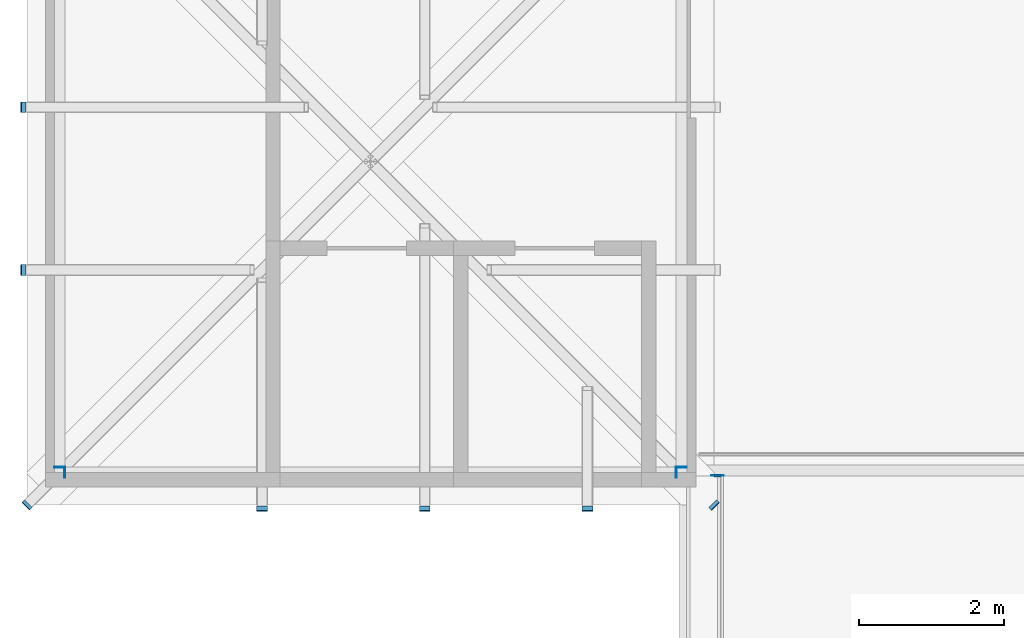
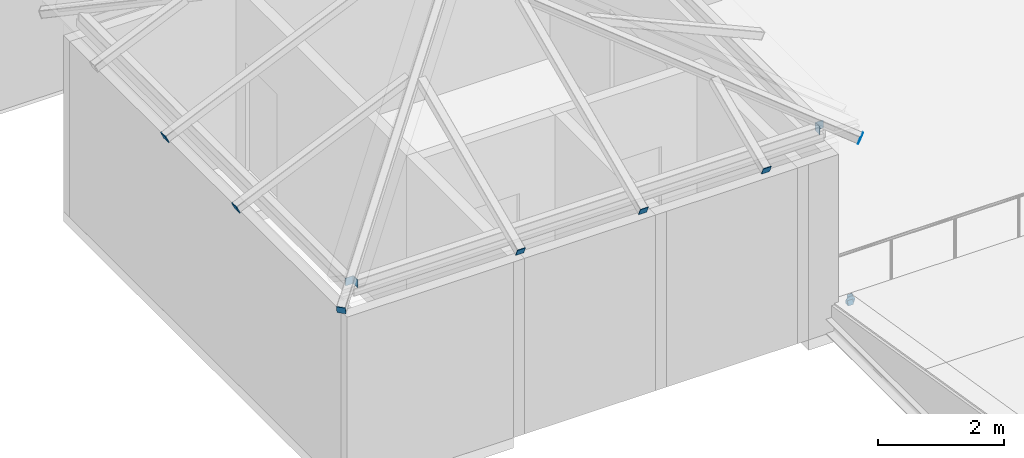
# One storey, part 53 of 69: 13 discrete accessories.
"""IFC4 building model written with IfcOpenShell, lengths in metres."""

from ifc_helpers import new_model, si_unit, direction, frame, origin, origin_2d, place, context, subcontext, project, spatial, rectangle, circle, extrude, material, material_profile, profile_set, type_object, element, save


model = new_model("IFC4")

# Units and contexts
model_context = context("Model", 3, precision=1e-05, world=origin(), true_north=direction((0.0, 1.0)))
body_context = subcontext(model_context, "Body", "Model", "MODEL_VIEW")
ifc_project = project(units=[si_unit("LENGTHUNIT", "METRE"), si_unit("AREAUNIT", "SQUARE_METRE"), si_unit("VOLUMEUNIT", "CUBIC_METRE"), si_unit("PLANEANGLEUNIT", "RADIAN"), si_unit("MASSUNIT", "GRAM", prefix="KILO")], contexts=[model_context])

# Site, building, storey
site_placement = place(None, origin())
site = spatial("IfcSite", under=ifc_project, at=site_placement, CompositionType="ELEMENT")
building_placement = place(site_placement, origin())
building = spatial("IfcBuilding", under=site, at=building_placement, Name="Kallimachos Central Library", CompositionType="ELEMENT")
storey_placement = place(building_placement, frame((0.0, 0.0, 23.39990234375)))
storey = spatial("IfcBuildingStorey", under=building, at=storey_placement, Name="L05", CompositionType="ELEMENT", Elevation=23.39990234375)

# Discrete accessories
ifc_material_1 = material(Name="Steel S355J2", Category="steel")
ifc_material_profile_1 = material_profile(ifc_material_1, rectangle(XDim=0.10009765625, YDim=0.199951171875, at=origin_2d()), Name="End cap plate 10, 100x200")
ifc_profile_set_1 = profile_set([ifc_material_profile_1], Name="Steel S355J2")
discrete_accessory_type_1 = type_object("IfcDiscreteAccessoryType", Name="End cap plate 10, 100x200", PredefinedType="BRACKET", material=ifc_profile_set_1)
discrete_accessory_1_placement = place(storey_placement, frame((74.800048828125, 75.159912109375, 0.389892578125), z_axis=(0.0, -0.989461064134, 0.144799180117), x_axis=(1.0, 0.0, 0.0)))
element("IfcDiscreteAccessory", 1, at=discrete_accessory_1_placement, inside=storey, type_object=discrete_accessory_type_1, Name="End cap plate", PredefinedType="BRACKET", context=body_context, shape_type="SweptSolid", body=[
    extrude(rectangle(XDim=0.10009765625, YDim=0.199951171875, at=origin_2d()), origin(), (0.0, 0.0, 1.0), 0.010009765625),
])
ifc_material_2 = material(Name="Steel S355J2", Category="steel")
ifc_material_profile_2 = material_profile(ifc_material_2, rectangle(XDim=0.14990234375, YDim=0.14990234375, at=origin_2d()), Name="End cap plate 10, 150x150")
ifc_profile_set_2 = profile_set([ifc_material_profile_2], Name="Steel S355J2")
discrete_accessory_type_2 = type_object("IfcDiscreteAccessoryType", Name="End cap plate 10, 150x150", PredefinedType="BRACKET", material=ifc_profile_set_2)
for number, where, z_axis, x_axis, name in (
    (2, (65.764892578125, 75.199951171875, 3.875), (1.0, 0.0, 0.0), (0.0, 1.0, 0.0), "End cap plate"),
    (3, (74.22509765625, 75.199951171875, 3.875), (1.0, 0.0, 0.0), (0.0, 1.0, 0.0), "End cap plate"),
    (4, (65.699951171875, 75.264892578125, 3.875), (0.0, 1.0, 0.0), (-1.0, 0.0, 0.0), "End cap plate"),
    (5, (74.300048828125, 75.264892578125, 3.875), (0.0, 1.0, 0.0), (-1.0, 0.0, 0.0), "End cap plate"),
    (6, (68.5, 74.69091796875, 3.805419921875), (0.0, 0.908676843963, 0.417500171551), (-1.0, 0.0, 0.0), "End cap plate"),
    (7, (70.75, 74.69091796875, 3.805419921875), (0.0, 0.908676843963, 0.417500171551), (-1.0, 0.0, 0.0), "End cap plate"),
    (8, (73.0, 74.69091796875, 3.805419921875), (0.0, 0.908676843963, 0.417500171551), (-1.0, 0.0, 0.0), "End cap plate"),
    (9, (65.19091796875, 78.0, 3.805419921875), (0.908676843963, 0.0, 0.417500171551), (0.0, 1.0, 0.0), "End cap plate"),
    (10, (65.19091796875, 80.25, 3.805419921875), (0.908676843963, 0.0, 0.417500171551), (0.0, 1.0, 0.0), "End cap plate"),
):
    element("IfcDiscreteAccessory", number, at=place(storey_placement, frame(where, z_axis=z_axis, x_axis=x_axis)), inside=storey, type_object=discrete_accessory_type_2, Name=name, PredefinedType="BRACKET", context=body_context, shape_type="SweptSolid", body=[
        extrude(rectangle(XDim=0.14990234375, YDim=0.14990234375, at=origin_2d()), origin(), (0.0, 0.0, 1.0), 0.010009765625),
    ])
for number, where, z_axis, x_axis, name in (
    (11, (65.2431640625, 74.7431640625, 3.778564453125), (0.671828034032, 0.671828034032, 0.311920158658), (-0.707106781187, 0.707106781187, 0.0), "End cap plate"),
    (12, (74.7568359375, 74.7431640625, 3.778564453125), (-0.671828034032, 0.671828034032, 0.311920158658), (-0.707106781187, -0.707106781187, 0.0), "End cap plate"),
):
    element("IfcDiscreteAccessory", number, at=place(storey_placement, frame(where, z_axis=z_axis, x_axis=x_axis)), inside=storey, type_object=discrete_accessory_type_2, Name=name, PredefinedType="BRACKET", context=body_context, shape_type="SweptSolid", body=[
        extrude(rectangle(XDim=0.14990234375, YDim=0.14990234375, at=origin_2d()), origin(), (0.0, 0.0, 1.0), 0.01025390625),
    ])
ifc_material_3 = material(Name="Steel S355J2", Category="steel")
ifc_material_profile_3 = material_profile(ifc_material_3, circle(Radius=0.084228515625, at=origin_2d()), Name="End cap plate 10, round 168.3")
ifc_profile_set_3 = profile_set([ifc_material_profile_3], Name="Steel S355J2")
discrete_accessory_type_3 = type_object("IfcDiscreteAccessoryType", Name="End cap plate 10, round 168.3", PredefinedType="BRACKET", material=ifc_profile_set_3)
discrete_accessory_2_placement = place(storey_placement, frame((74.800048828125, 75.14990234375, 0.374267578125), z_axis=(0.0, 1.0, 0.0), x_axis=(-1.0, 0.0, 0.0)))
element("IfcDiscreteAccessory", 13, at=discrete_accessory_2_placement, inside=storey, type_object=discrete_accessory_type_3, Name="End cap plate", PredefinedType="BRACKET", context=body_context, shape_type="SweptSolid", body=[
    extrude(circle(Radius=0.084228515625, at=origin_2d()), origin(), (0.0, 0.0, 1.0), 0.010009765625),
])

save(model, "model.ifc")
